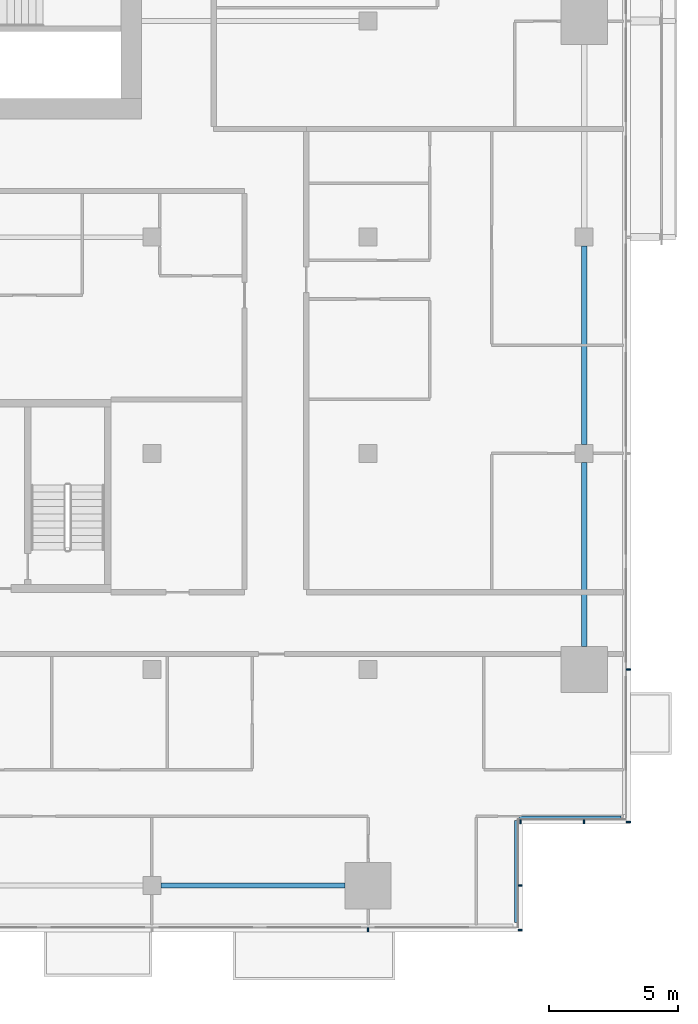
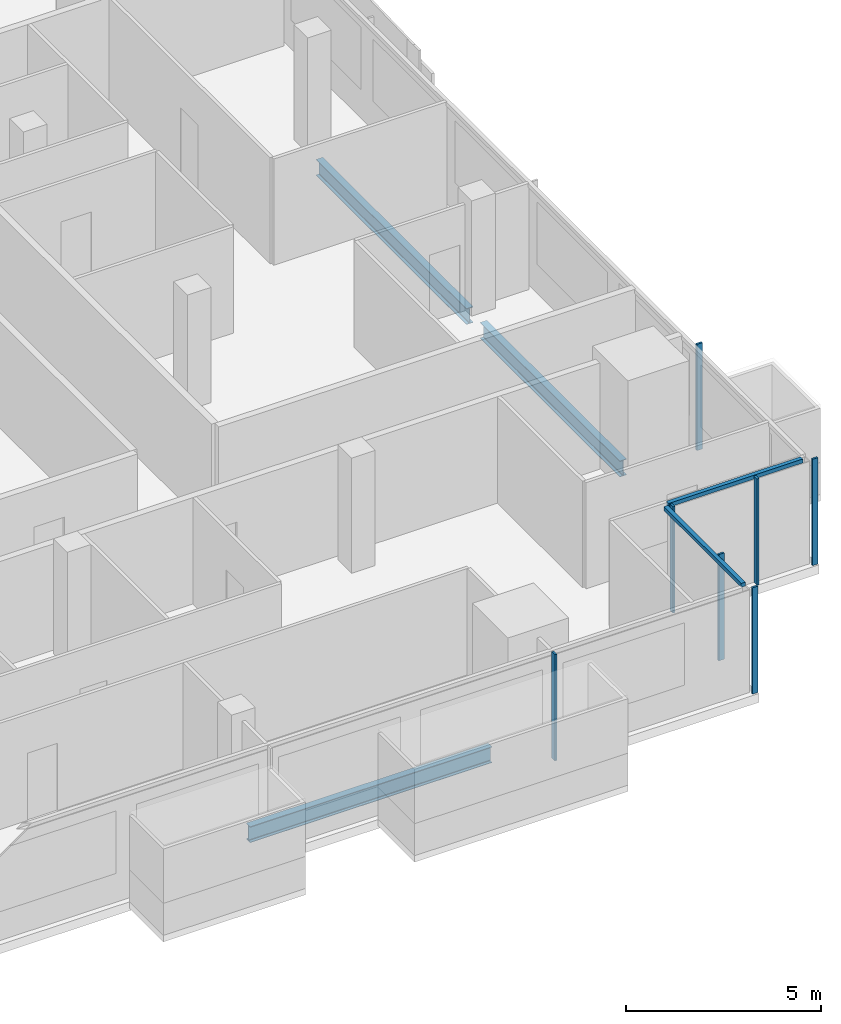
# One storey, part 11 of 30: 9 members, 3 beams, 4 elements without a shape of their own.
"""IFC4 building model written with IfcOpenShell, lengths in metres."""

from ifc_helpers import new_model, si_unit, direction, frame, origin, origin_2d, place, context, subcontext, project, spatial, rectangle, i_section, extrude, material, material_profile, profile_set, type_object, element, aggregate, save


model = new_model("IFC4")

# Units and contexts
model_context = context("Model", 3, precision=1e-05, world=origin(), true_north=direction((0.0, 1.0)))
body_context = subcontext(model_context, "Body", "Model", "MODEL_VIEW")
ifc_project = project(units=[si_unit("LENGTHUNIT", "METRE"), si_unit("AREAUNIT", "SQUARE_METRE"), si_unit("VOLUMEUNIT", "CUBIC_METRE"), si_unit("PLANEANGLEUNIT", "RADIAN"), si_unit("MASSUNIT", "GRAM", prefix="KILO")], contexts=[model_context])

# Site, building, storey
site_placement = place(None, origin())
site = spatial("IfcSite", under=ifc_project, at=site_placement, CompositionType="ELEMENT")
building_placement = place(site_placement, origin())
building = spatial("IfcBuilding", under=site, at=building_placement, Name="Saffron Gate Tower", CompositionType="ELEMENT")
storey_placement = place(building_placement, frame((0.0, 0.0, 165.449951171875)))
storey = spatial("IfcBuildingStorey", under=building, at=storey_placement, Name="L40", CompositionType="ELEMENT", Elevation=165.449951171875)

# Beams
ifc_material_1 = material(Name="Structural steel S355", Category="steel")
ifc_material_profile_1 = material_profile(ifc_material_1, i_section(OverallWidth=0.199951171875, OverallDepth=0.5, WebThickness=0.01025390625, FlangeThickness=0.01611328125, FilletRadius=0.02099609375, at=origin_2d()))
ifc_profile_set_1 = profile_set([ifc_material_profile_1], Name="Structural steel S355")
beam_type = type_object("IfcBeamType", Name="B11 IPE 500", PredefinedType="SPANDREL", material=ifc_profile_set_1)
beam_1_placement = place(storey_placement, frame((108.949951171875, 31.800048828125, -0.530029296875), z_axis=(1.0, 0.0, 0.0), x_axis=(0.0, 1.0, 0.0)))
element("IfcBeam", 1, at=beam_1_placement, inside=storey, type_object=beam_type, Name="B11 SPANDREL BEAM", PredefinedType="SPANDREL", context=body_context, shape_type="SweptSolid", body=[
    extrude(i_section(OverallWidth=0.199951171875, OverallDepth=0.5, WebThickness=0.01025390625, FlangeThickness=0.01611328125, FilletRadius=0.02099609375, at=origin_2d()), origin(), (0.0, 0.0, 1.0), 7.150146484375),
])
beam_2_placement = place(storey_placement, frame((125.39990234375, 41.10009765625, -0.530029296875), z_axis=(0.0, 1.0, 0.0), x_axis=(-1.0, 0.0, 0.0)))
element("IfcBeam", 2, at=beam_2_placement, inside=storey, type_object=beam_type, Name="B11 SPANDREL BEAM", PredefinedType="SPANDREL", context=body_context, shape_type="SweptSolid", body=[
    extrude(i_section(OverallWidth=0.199951171875, OverallDepth=0.5, WebThickness=0.01025390625, FlangeThickness=0.01611328125, FilletRadius=0.02099609375, at=origin_2d()), origin(), (0.0, 0.0, 1.0), 7.14990234375),
])
beam_3_placement = place(storey_placement, frame((125.39990234375, 48.949951171875, -0.530029296875), z_axis=(0.0, 1.0, 0.0), x_axis=(-1.0, 0.0, 0.0)))
element("IfcBeam", 3, at=beam_3_placement, inside=storey, type_object=beam_type, Name="B11 SPANDREL BEAM", PredefinedType="SPANDREL", context=body_context, shape_type="SweptSolid", body=[
    extrude(i_section(OverallWidth=0.199951171875, OverallDepth=0.5, WebThickness=0.01025390625, FlangeThickness=0.01611328125, FilletRadius=0.02099609375, at=origin_2d()), origin(), (0.0, 0.0, 1.0), 7.699951171875),
])

# Curtain wall, member
ifc_material_2 = material(Name="Aluminium, bronze anodised", Category="aluminium")
curtain_wall_type_1 = type_object("IfcCurtainWallType", Name="CWS1 curtain wall front facade", PredefinedType="NOTDEFINED", material=ifc_material_2)
curtain_wall_1_placement = place(storey_placement, origin())
curtain_wall_1 = element("IfcCurtainWall", 4, at=curtain_wall_1_placement, inside=storey, type_object=curtain_wall_type_1, Name="CWS1 run 1", PredefinedType="NOTDEFINED")
ifc_material_profile_2 = material_profile(ifc_material_2, rectangle(XDim=0.159912109375, YDim=0.06005859375, at=origin_2d()))
ifc_profile_set_2 = profile_set([ifc_material_profile_2], Name="Aluminium, bronze anodised")
member_type_1 = type_object("IfcMemberType", Name="CWS1 mullion 60x160", PredefinedType="MULLION", material=ifc_profile_set_2)
member_1_placement = place(storey_placement, frame((117.0, 30.080078125, 0.0), z_axis=(0.0, 0.0, 1.0), x_axis=(0.0, 1.0, 0.0)))
member_1 = element("IfcMember", 5, at=member_1_placement, type_object=member_type_1, Name="CWS1 mullion 9", PredefinedType="MULLION", context=body_context, shape_type="SweptSolid", body=[
    extrude(rectangle(XDim=0.159912109375, YDim=0.06005859375, at=origin_2d()), origin(), (0.0, 0.0, 1.0), 3.320068359375),
])
aggregate(curtain_wall_1, [member_1])

# Curtain wall, members
curtain_wall_type_2 = type_object("IfcCurtainWallType", Name="CWS2 curtain wall side facades", PredefinedType="NOTDEFINED", material=ifc_material_2)
curtain_wall_2_placement = place(storey_placement, origin())
curtain_wall_2 = element("IfcCurtainWall", 6, at=curtain_wall_2_placement, inside=storey, type_object=curtain_wall_type_2, Name="CWS2 run 4", PredefinedType="NOTDEFINED")
ifc_material_profile_3 = material_profile(ifc_material_2, rectangle(XDim=0.159912109375, YDim=0.06005859375, at=origin_2d()))
ifc_profile_set_3 = profile_set([ifc_material_profile_3], Name="Aluminium, bronze anodised")
member_type_2 = type_object("IfcMemberType", Name="CWS2 mullion 60x160", PredefinedType="MULLION", material=ifc_profile_set_3)
member_2_placement = place(storey_placement, frame((127.1201171875, 34.280029296875, 0.0), z_axis=(0.0, 0.0, 1.0), x_axis=(-1.0, 0.0, 0.0)))
member_2 = element("IfcMember", 7, at=member_2_placement, type_object=member_type_2, Name="CWS2 mullion 1", PredefinedType="MULLION", context=body_context, shape_type="SweptSolid", body=[
    extrude(rectangle(XDim=0.159912109375, YDim=0.06005859375, at=origin_2d()), origin(), (0.0, 0.0, 1.0), 3.320068359375),
])
member_3_placement = place(storey_placement, frame((127.1201171875, 40.199951171875, 0.0), z_axis=(0.0, 0.0, 1.0), x_axis=(-1.0, 0.0, 0.0)))
member_3 = element("IfcMember", 8, at=member_3_placement, type_object=member_type_2, Name="CWS2 mullion 2", PredefinedType="MULLION", context=body_context, shape_type="SweptSolid", body=[
    extrude(rectangle(XDim=0.159912109375, YDim=0.06005859375, at=origin_2d()), origin(), (0.0, 0.0, 1.0), 3.320068359375),
])
aggregate(curtain_wall_2, [member_2, member_3])

# Curtain wall, member
curtain_wall_type_3 = type_object("IfcCurtainWallType", Name="CWS4 curtain wall corner returns", PredefinedType="NOTDEFINED", material=ifc_material_2)
curtain_wall_3_placement = place(storey_placement, origin())
curtain_wall_3 = element("IfcCurtainWall", 9, at=curtain_wall_3_placement, inside=storey, type_object=curtain_wall_type_3, Name="CWS4 run 2", PredefinedType="NOTDEFINED")
ifc_material_profile_4 = material_profile(ifc_material_2, rectangle(XDim=0.1201171875, YDim=0.1201171875, at=origin_2d()))
ifc_profile_set_4 = profile_set([ifc_material_profile_4], Name="Aluminium, bronze anodised")
member_type_3 = type_object("IfcMemberType", Name="CWS4 head transom", PredefinedType="USERDEFINED", material=ifc_profile_set_4)
member_4_placement = place(storey_placement, frame((122.751953125, 30.367919921875, 3.260009765625), z_axis=(0.0, 1.0, 0.0), x_axis=(-1.0, 0.0, 0.0)))
member_4 = element("IfcMember", 10, at=member_4_placement, type_object=member_type_3, Name="CWS4 head transom", ObjectType="TRANSOM", PredefinedType="USERDEFINED", context=body_context, shape_type="SweptSolid", body=[
    extrude(rectangle(XDim=0.1201171875, YDim=0.1201171875, at=origin_2d()), origin(), (0.0, 0.0, 1.0), 3.9599609375),
])

curtain_wall_4_placement = place(storey_placement, origin())
curtain_wall_4 = element("IfcCurtainWall", 11, at=curtain_wall_4_placement, inside=storey, type_object=curtain_wall_type_3, Name="CWS4 run 3", PredefinedType="NOTDEFINED")
member_5_placement = place(storey_placement, frame((122.8720703125, 34.447998046875, 3.260009765625), z_axis=(1.0, 0.0, 0.0), x_axis=(0.0, 1.0, 0.0)))
member_5 = element("IfcMember", 12, at=member_5_placement, type_object=member_type_3, Name="CWS4 head transom", ObjectType="TRANSOM", PredefinedType="USERDEFINED", context=body_context, shape_type="SweptSolid", body=[
    extrude(rectangle(XDim=0.1201171875, YDim=0.1201171875, at=origin_2d()), origin(), (0.0, 0.0, 1.0), 3.9599609375),
])

# Member
ifc_material_profile_5 = material_profile(ifc_material_2, rectangle(XDim=0.159912109375, YDim=0.06005859375, at=origin_2d()))
ifc_profile_set_5 = profile_set([ifc_material_profile_5], Name="Aluminium, bronze anodised")
member_type_4 = type_object("IfcMemberType", Name="CWS4 mullion 60x160", PredefinedType="MULLION", material=ifc_profile_set_5)
member_6_placement = place(storey_placement, frame((122.919921875, 30.080078125, 0.0), z_axis=(0.0, 0.0, 1.0), x_axis=(-1.0, 0.0, 0.0)))
member_6 = element("IfcMember", 13, at=member_6_placement, type_object=member_type_4, Name="CWS4 mullion 1", PredefinedType="MULLION", context=body_context, shape_type="SweptSolid", body=[
    extrude(rectangle(XDim=0.159912109375, YDim=0.06005859375, at=origin_2d()), origin(), (0.0, 0.0, 1.0), 3.320068359375),
])

member_7_placement = place(storey_placement, frame((122.919921875, 31.800048828125, 0.0), z_axis=(0.0, 0.0, 1.0), x_axis=(-1.0, 0.0, 0.0)))
member_7 = element("IfcMember", 14, at=member_7_placement, type_object=member_type_4, Name="CWS4 mullion 2", PredefinedType="MULLION", context=body_context, shape_type="SweptSolid", body=[
    extrude(rectangle(XDim=0.159912109375, YDim=0.06005859375, at=origin_2d()), origin(), (0.0, 0.0, 1.0), 3.320068359375),
])

aggregate(curtain_wall_3, [member_6, member_7, member_4])

member_8_placement = place(storey_placement, frame((122.919921875, 34.280029296875, 0.0), z_axis=(0.0, 0.0, 1.0), x_axis=(0.0, 1.0, 0.0)))
member_8 = element("IfcMember", 15, at=member_8_placement, type_object=member_type_4, Name="CWS4 mullion 1", PredefinedType="MULLION", context=body_context, shape_type="SweptSolid", body=[
    extrude(rectangle(XDim=0.159912109375, YDim=0.06005859375, at=origin_2d()), origin(), (0.0, 0.0, 1.0), 3.320068359375),
])

member_9_placement = place(storey_placement, frame((125.39990234375, 34.280029296875, 0.0), z_axis=(0.0, 0.0, 1.0), x_axis=(0.0, 1.0, 0.0)))
member_9 = element("IfcMember", 16, at=member_9_placement, type_object=member_type_4, Name="CWS4 mullion 2", PredefinedType="MULLION", context=body_context, shape_type="SweptSolid", body=[
    extrude(rectangle(XDim=0.159912109375, YDim=0.06005859375, at=origin_2d()), origin(), (0.0, 0.0, 1.0), 3.320068359375),
])

aggregate(curtain_wall_4, [member_8, member_9, member_5])

save(model, "model.ifc")
